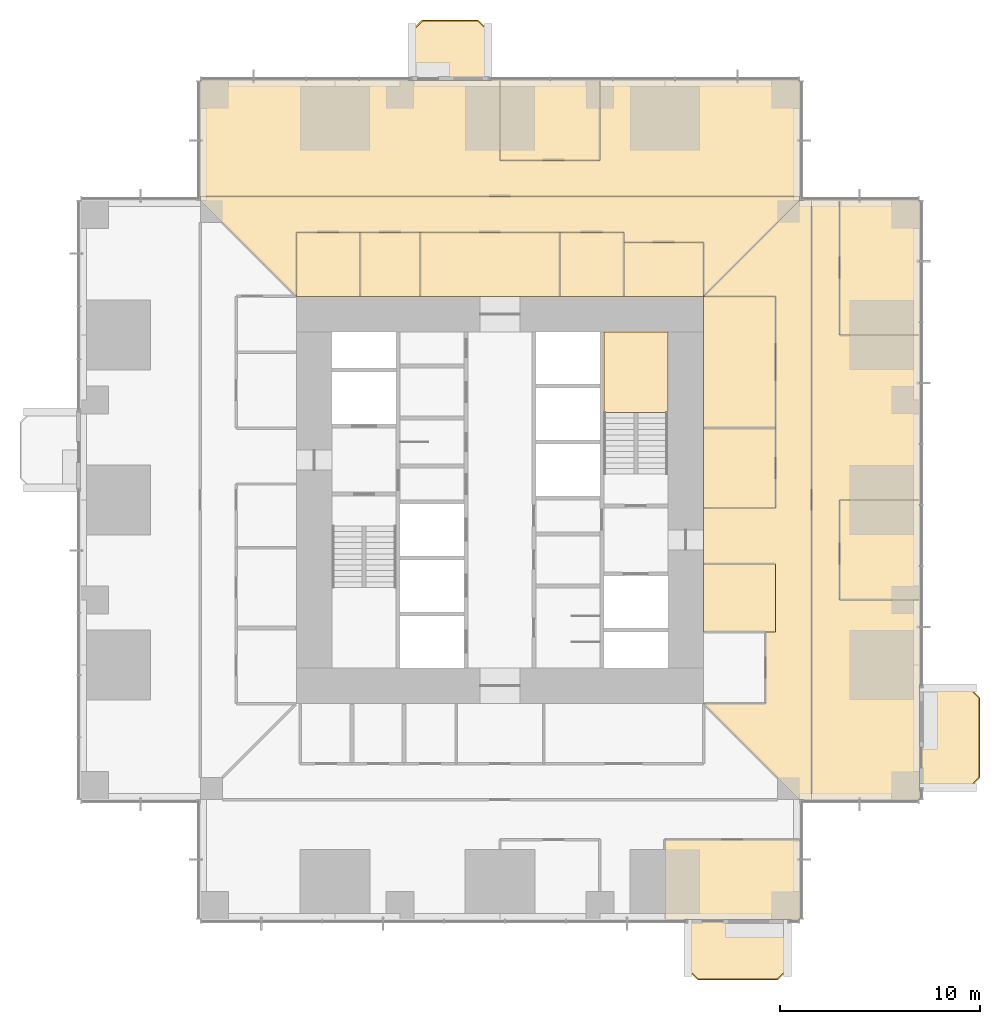
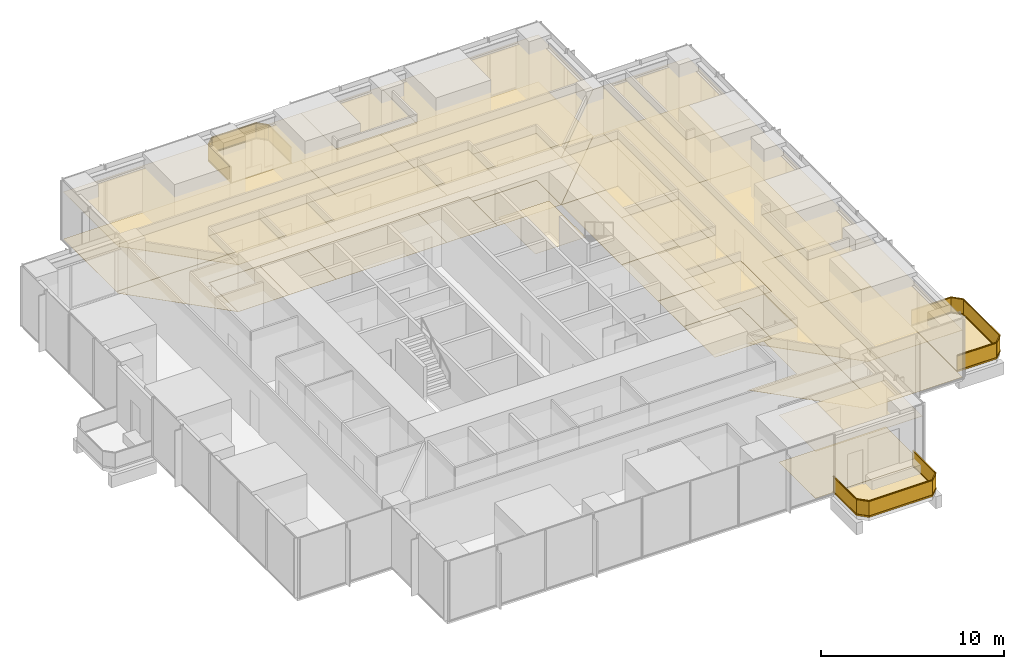
# One storey, part 14 of 15: 36 coverings, 3 railings.
"""IFC4 building model written with IfcOpenShell, lengths in metres."""

from ifc_helpers import new_model, si_unit, direction, frame, origin, origin_2d, place, context, subcontext, project, spatial, polyline, rectangle, outline, extrude, material, layer, layer_set, type_object, element, save


model = new_model("IFC4")

# Units and contexts
model_context = context("Model", 3, precision=1e-05, world=origin(), true_north=direction((0.0, 1.0)))
body_context = subcontext(model_context, "Body", "Model", "MODEL_VIEW")
ifc_project = project(units=[si_unit("LENGTHUNIT", "METRE"), si_unit("AREAUNIT", "SQUARE_METRE"), si_unit("VOLUMEUNIT", "CUBIC_METRE"), si_unit("PLANEANGLEUNIT", "RADIAN"), si_unit("MASSUNIT", "GRAM", prefix="KILO")], contexts=[model_context])

# Site, building, storey
site_placement = place(None, origin())
site = spatial("IfcSite", under=ifc_project, at=site_placement, CompositionType="ELEMENT")
building_placement = place(site_placement, origin())
building = spatial("IfcBuilding", under=site, at=building_placement, Name="Svetlomir Tower", CompositionType="ELEMENT")
storey_placement = place(building_placement, frame((0.0, 0.0, 66.5)))
storey = spatial("IfcBuildingStorey", under=building, at=storey_placement, Name="L15", CompositionType="ELEMENT", Elevation=66.5)

# Railings
ifc_material_1 = material(Name="Bronze anodised aluminium and laminated glass", Category="aluminium")
railing_type = type_object("IfcRailingType", Name="BALCONY GUARD GR1 1100", PredefinedType="GUARDRAIL", material=ifc_material_1)
railing_1_placement = place(storey_placement, frame((30.39990234375, 0.0, 0.0)))
element("IfcRailing", 1, at=railing_1_placement, inside=storey, type_object=railing_type, Name="Balcony guard S L15", PredefinedType="GUARDRAIL", context=body_context, shape_type="SweptSolid", body=[
    extrude(rectangle(XDim=0.06005859375, YDim=0.10009765625, at=origin_2d()), frame((0.0, 0.0, 0.050048828125), z_axis=(0.0, -1.0, 0.0), x_axis=(1.0, 0.0, 0.0)), (0.0, 0.0, 1.0), 2.5),
    extrude(rectangle(XDim=0.021484375, YDim=0.960205078125, at=origin_2d()), frame((0.0, 0.0, 0.580078125), z_axis=(0.0, -1.0, 0.0), x_axis=(1.0, 0.0, 0.0)), (0.0, 0.0, 1.0), 2.5),
    extrude(rectangle(XDim=0.06005859375, YDim=0.0400390625, at=origin_2d()), frame((0.0, 0.0, 1.080078125), z_axis=(0.0, -1.0, 0.0), x_axis=(1.0, 0.0, 0.0)), (0.0, 0.0, 1.0), 2.5),
    extrude(rectangle(XDim=0.06005859375, YDim=0.10009765625, at=origin_2d()), frame((0.0, -2.5, 0.050048828125), z_axis=(0.707106781187, -0.707106781187, 0.0), x_axis=(0.707106781187, 0.707106781187, 0.0)), (0.0, 0.0, 1.0), 0.70703125),
    extrude(rectangle(XDim=0.021484375, YDim=0.960205078125, at=origin_2d()), frame((0.0, -2.5, 0.580078125), z_axis=(0.707106781187, -0.707106781187, 0.0), x_axis=(0.707106781187, 0.707106781187, 0.0)), (0.0, 0.0, 1.0), 0.70703125),
    extrude(rectangle(XDim=0.06005859375, YDim=0.0400390625, at=origin_2d()), frame((0.0, -2.5, 1.080078125), z_axis=(0.707106781187, -0.707106781187, 0.0), x_axis=(0.707106781187, 0.707106781187, 0.0)), (0.0, 0.0, 1.0), 0.70703125),
    extrude(rectangle(XDim=0.06005859375, YDim=0.10009765625, at=origin_2d()), frame((0.5, -3.0, 0.050048828125), z_axis=(1.0, 0.0, 0.0), x_axis=(0.0, 1.0, 0.0)), (0.0, 0.0, 1.0), 4.0),
    extrude(rectangle(XDim=0.021484375, YDim=0.960205078125, at=origin_2d()), frame((0.5, -3.0, 0.580078125), z_axis=(1.0, 0.0, 0.0), x_axis=(0.0, 1.0, 0.0)), (0.0, 0.0, 1.0), 4.0),
    extrude(rectangle(XDim=0.06005859375, YDim=0.0400390625, at=origin_2d()), frame((0.5, -3.0, 1.080078125), z_axis=(1.0, 0.0, 0.0), x_axis=(0.0, 1.0, 0.0)), (0.0, 0.0, 1.0), 4.0),
    extrude(rectangle(XDim=0.06005859375, YDim=0.10009765625, at=origin_2d()), frame((4.5, -3.0, 0.050048828125), z_axis=(0.707106781187, 0.707106781187, 0.0), x_axis=(-0.707106781187, 0.707106781187, 0.0)), (0.0, 0.0, 1.0), 0.70703125),
    extrude(rectangle(XDim=0.021484375, YDim=0.960205078125, at=origin_2d()), frame((4.5, -3.0, 0.580078125), z_axis=(0.707106781187, 0.707106781187, 0.0), x_axis=(-0.707106781187, 0.707106781187, 0.0)), (0.0, 0.0, 1.0), 0.70703125),
    extrude(rectangle(XDim=0.06005859375, YDim=0.0400390625, at=origin_2d()), frame((4.5, -3.0, 1.080078125), z_axis=(0.707106781187, 0.707106781187, 0.0), x_axis=(-0.707106781187, 0.707106781187, 0.0)), (0.0, 0.0, 1.0), 0.70703125),
    extrude(rectangle(XDim=0.06005859375, YDim=0.10009765625, at=origin_2d()), frame((5.0, -2.5, 0.050048828125), z_axis=(0.0, 1.0, 0.0), x_axis=(-1.0, 0.0, 0.0)), (0.0, 0.0, 1.0), 2.5),
    extrude(rectangle(XDim=0.021484375, YDim=0.960205078125, at=origin_2d()), frame((5.0, -2.5, 0.580078125), z_axis=(0.0, 1.0, 0.0), x_axis=(-1.0, 0.0, 0.0)), (0.0, 0.0, 1.0), 2.5),
    extrude(rectangle(XDim=0.06005859375, YDim=0.0400390625, at=origin_2d()), frame((5.0, -2.5, 1.080078125), z_axis=(0.0, 1.0, 0.0), x_axis=(-1.0, 0.0, 0.0)), (0.0, 0.0, 1.0), 2.5),
])
railing_2_placement = place(storey_placement, frame((42.0, 6.60009765625, 0.0)))
element("IfcRailing", 2, at=railing_2_placement, inside=storey, type_object=railing_type, Name="Balcony guard E L15", PredefinedType="GUARDRAIL", context=body_context, shape_type="SweptSolid", body=[
    extrude(rectangle(XDim=0.06005859375, YDim=0.10009765625, at=origin_2d()), frame((0.0, 0.0, 0.050048828125), z_axis=(1.0, 0.0, 0.0), x_axis=(0.0, 1.0, 0.0)), (0.0, 0.0, 1.0), 2.5),
    extrude(rectangle(XDim=0.021484375, YDim=0.960205078125, at=origin_2d()), frame((0.0, 0.0, 0.580078125), z_axis=(1.0, 0.0, 0.0), x_axis=(0.0, 1.0, 0.0)), (0.0, 0.0, 1.0), 2.5),
    extrude(rectangle(XDim=0.06005859375, YDim=0.0400390625, at=origin_2d()), frame((0.0, 0.0, 1.080078125), z_axis=(1.0, 0.0, 0.0), x_axis=(0.0, 1.0, 0.0)), (0.0, 0.0, 1.0), 2.5),
    extrude(rectangle(XDim=0.06005859375, YDim=0.10009765625, at=origin_2d()), frame((2.5, 0.0, 0.050048828125), z_axis=(0.707106781187, 0.707106781187, 0.0), x_axis=(-0.707106781187, 0.707106781187, 0.0)), (0.0, 0.0, 1.0), 0.70703125),
    extrude(rectangle(XDim=0.021484375, YDim=0.960205078125, at=origin_2d()), frame((2.5, 0.0, 0.580078125), z_axis=(0.707106781187, 0.707106781187, 0.0), x_axis=(-0.707106781187, 0.707106781187, 0.0)), (0.0, 0.0, 1.0), 0.70703125),
    extrude(rectangle(XDim=0.06005859375, YDim=0.0400390625, at=origin_2d()), frame((2.5, 0.0, 1.080078125), z_axis=(0.707106781187, 0.707106781187, 0.0), x_axis=(-0.707106781187, 0.707106781187, 0.0)), (0.0, 0.0, 1.0), 0.70703125),
    extrude(rectangle(XDim=0.06005859375, YDim=0.10009765625, at=origin_2d()), frame((3.0, 0.5, 0.050048828125), z_axis=(0.0, 1.0, 0.0), x_axis=(-1.0, 0.0, 0.0)), (0.0, 0.0, 1.0), 4.0),
    extrude(rectangle(XDim=0.021484375, YDim=0.960205078125, at=origin_2d()), frame((3.0, 0.5, 0.580078125), z_axis=(0.0, 1.0, 0.0), x_axis=(-1.0, 0.0, 0.0)), (0.0, 0.0, 1.0), 4.0),
    extrude(rectangle(XDim=0.06005859375, YDim=0.0400390625, at=origin_2d()), frame((3.0, 0.5, 1.080078125), z_axis=(0.0, 1.0, 0.0), x_axis=(-1.0, 0.0, 0.0)), (0.0, 0.0, 1.0), 4.0),
    extrude(rectangle(XDim=0.06005859375, YDim=0.10009765625, at=origin_2d()), frame((3.0, 4.5, 0.050048828125), z_axis=(-0.707106781187, 0.707106781187, 0.0), x_axis=(-0.707106781187, -0.707106781187, 0.0)), (0.0, 0.0, 1.0), 0.70703125),
    extrude(rectangle(XDim=0.021484375, YDim=0.960205078125, at=origin_2d()), frame((3.0, 4.5, 0.580078125), z_axis=(-0.707106781187, 0.707106781187, 0.0), x_axis=(-0.707106781187, -0.707106781187, 0.0)), (0.0, 0.0, 1.0), 0.70703125),
    extrude(rectangle(XDim=0.06005859375, YDim=0.0400390625, at=origin_2d()), frame((3.0, 4.5, 1.080078125), z_axis=(-0.707106781187, 0.707106781187, 0.0), x_axis=(-0.707106781187, -0.707106781187, 0.0)), (0.0, 0.0, 1.0), 0.70703125),
    extrude(rectangle(XDim=0.06005859375, YDim=0.10009765625, at=origin_2d()), frame((2.5, 5.0, 0.050048828125), z_axis=(-1.0, 0.0, 0.0), x_axis=(0.0, -1.0, 0.0)), (0.0, 0.0, 1.0), 2.5),
    extrude(rectangle(XDim=0.021484375, YDim=0.960205078125, at=origin_2d()), frame((2.5, 5.0, 0.580078125), z_axis=(-1.0, 0.0, 0.0), x_axis=(0.0, -1.0, 0.0)), (0.0, 0.0, 1.0), 2.5),
    extrude(rectangle(XDim=0.06005859375, YDim=0.0400390625, at=origin_2d()), frame((2.5, 5.0, 1.080078125), z_axis=(-1.0, 0.0, 0.0), x_axis=(0.0, -1.0, 0.0)), (0.0, 0.0, 1.0), 2.5),
])
railing_3_placement = place(storey_placement, frame((20.39990234375, 42.0, 0.0)))
element("IfcRailing", 3, at=railing_3_placement, inside=storey, type_object=railing_type, Name="Balcony guard N L15", PredefinedType="GUARDRAIL", context=body_context, shape_type="SweptSolid", body=[
    extrude(rectangle(XDim=0.06005859375, YDim=0.10009765625, at=origin_2d()), frame((0.0, 0.0, 0.050048828125), z_axis=(0.0, 1.0, 0.0), x_axis=(-1.0, 0.0, 0.0)), (0.0, 0.0, 1.0), 2.5),
    extrude(rectangle(XDim=0.021484375, YDim=0.960205078125, at=origin_2d()), frame((0.0, 0.0, 0.580078125), z_axis=(0.0, 1.0, 0.0), x_axis=(-1.0, 0.0, 0.0)), (0.0, 0.0, 1.0), 2.5),
    extrude(rectangle(XDim=0.06005859375, YDim=0.0400390625, at=origin_2d()), frame((0.0, 0.0, 1.080078125), z_axis=(0.0, 1.0, 0.0), x_axis=(-1.0, 0.0, 0.0)), (0.0, 0.0, 1.0), 2.5),
    extrude(rectangle(XDim=0.06005859375, YDim=0.10009765625, at=origin_2d()), frame((0.0, 2.5, 0.050048828125), z_axis=(-0.707106781187, 0.707106781187, 0.0), x_axis=(-0.707106781187, -0.707106781187, 0.0)), (0.0, 0.0, 1.0), 0.70703125),
    extrude(rectangle(XDim=0.021484375, YDim=0.960205078125, at=origin_2d()), frame((0.0, 2.5, 0.580078125), z_axis=(-0.707106781187, 0.707106781187, 0.0), x_axis=(-0.707106781187, -0.707106781187, 0.0)), (0.0, 0.0, 1.0), 0.70703125),
    extrude(rectangle(XDim=0.06005859375, YDim=0.0400390625, at=origin_2d()), frame((0.0, 2.5, 1.080078125), z_axis=(-0.707106781187, 0.707106781187, 0.0), x_axis=(-0.707106781187, -0.707106781187, 0.0)), (0.0, 0.0, 1.0), 0.70703125),
    extrude(rectangle(XDim=0.06005859375, YDim=0.10009765625, at=origin_2d()), frame((-0.5, 3.0, 0.050048828125), z_axis=(-1.0, 0.0, 0.0), x_axis=(0.0, -1.0, 0.0)), (0.0, 0.0, 1.0), 2.7998046875),
    extrude(rectangle(XDim=0.021484375, YDim=0.960205078125, at=origin_2d()), frame((-0.5, 3.0, 0.580078125), z_axis=(-1.0, 0.0, 0.0), x_axis=(0.0, -1.0, 0.0)), (0.0, 0.0, 1.0), 2.7998046875),
    extrude(rectangle(XDim=0.06005859375, YDim=0.0400390625, at=origin_2d()), frame((-0.5, 3.0, 1.080078125), z_axis=(-1.0, 0.0, 0.0), x_axis=(0.0, -1.0, 0.0)), (0.0, 0.0, 1.0), 2.7998046875),
    extrude(rectangle(XDim=0.06005859375, YDim=0.10009765625, at=origin_2d()), frame((-3.2998046875, 3.0, 0.050048828125), z_axis=(-0.707106781187, -0.707106781187, 0.0), x_axis=(0.707106781187, -0.707106781187, 0.0)), (0.0, 0.0, 1.0), 0.70703125),
    extrude(rectangle(XDim=0.021484375, YDim=0.960205078125, at=origin_2d()), frame((-3.2998046875, 3.0, 0.580078125), z_axis=(-0.707106781187, -0.707106781187, 0.0), x_axis=(0.707106781187, -0.707106781187, 0.0)), (0.0, 0.0, 1.0), 0.70703125),
    extrude(rectangle(XDim=0.06005859375, YDim=0.0400390625, at=origin_2d()), frame((-3.2998046875, 3.0, 1.080078125), z_axis=(-0.707106781187, -0.707106781187, 0.0), x_axis=(0.707106781187, -0.707106781187, 0.0)), (0.0, 0.0, 1.0), 0.70703125),
    extrude(rectangle(XDim=0.06005859375, YDim=0.10009765625, at=origin_2d()), frame((-3.7998046875, 2.5, 0.050048828125), z_axis=(0.0, -1.0, 0.0), x_axis=(1.0, 0.0, 0.0)), (0.0, 0.0, 1.0), 2.5),
    extrude(rectangle(XDim=0.021484375, YDim=0.960205078125, at=origin_2d()), frame((-3.7998046875, 2.5, 0.580078125), z_axis=(0.0, -1.0, 0.0), x_axis=(1.0, 0.0, 0.0)), (0.0, 0.0, 1.0), 2.5),
    extrude(rectangle(XDim=0.06005859375, YDim=0.0400390625, at=origin_2d()), frame((-3.7998046875, 2.5, 1.080078125), z_axis=(0.0, -1.0, 0.0), x_axis=(1.0, 0.0, 0.0)), (0.0, 0.0, 1.0), 2.5),
])

# Coverings
ifc_material_2 = material(Name="Granite paving slabs on pedestals", Category="masonry")
ifc_layer_1 = layer(ifc_material_2, 0.0400390625)
ifc_layer_set_1 = layer_set([ifc_layer_1], Name="Granite paving slabs on pedestals")
covering_type_1 = type_object("IfcCoveringType", Name="BALCONY PAVING 40", PredefinedType="USERDEFINED", material=ifc_layer_set_1)
covering_1_placement = place(storey_placement, origin())
element("IfcCovering", 4, at=covering_1_placement, inside=storey, type_object=covering_type_1, Name="Balcony paving S L15", ObjectType="BALCONY PAVING", PredefinedType="USERDEFINED", context=body_context, shape_type="SweptSolid", body=[
    extrude(outline(polyline([(30.39990234375, -2.5), (30.89990234375, -3.0), (34.89990234375, -3.0), (35.39990234375, -2.5), (35.39990234375, 0.0), (30.39990234375, 0.0), (30.39990234375, -2.5)])), origin(), (0.0, 0.0, 1.0), 0.0400390625),
])
covering_2_placement = place(storey_placement, origin())
element("IfcCovering", 5, at=covering_2_placement, inside=storey, type_object=covering_type_1, Name="Balcony paving E L15", ObjectType="BALCONY PAVING", PredefinedType="USERDEFINED", context=body_context, shape_type="SweptSolid", body=[
    extrude(outline(polyline([(42.0, 6.60009765625), (44.5, 6.60009765625), (45.0, 7.10009765625), (45.0, 11.10009765625), (44.5, 11.60009765625), (42.0, 11.60009765625), (42.0, 6.60009765625)])), origin(), (0.0, 0.0, 1.0), 0.0400390625),
])
covering_3_placement = place(storey_placement, origin())
element("IfcCovering", 6, at=covering_3_placement, inside=storey, type_object=covering_type_1, Name="Balcony paving N L15", ObjectType="BALCONY PAVING", PredefinedType="USERDEFINED", context=body_context, shape_type="SweptSolid", body=[
    extrude(outline(polyline([(16.60009765625, 42.0), (20.39990234375, 42.0), (20.39990234375, 44.5), (19.89990234375, 45.0), (17.10009765625, 45.0), (16.60009765625, 44.5), (16.60009765625, 42.0)])), origin(), (0.0, 0.0, 1.0), 0.0400390625),
])
ifc_material_3 = material(Name="Carpet tile", Category="textile")
ifc_layer_2 = layer(ifc_material_3, 0.010009765625)
ifc_layer_set_2 = layer_set([ifc_layer_2], Name="Carpet tile")
covering_type_2 = type_object("IfcCoveringType", Name="CARPET TILE FLOOR 10", PredefinedType="FLOORING", material=ifc_layer_set_2)
covering_4_placement = place(storey_placement, origin())
element("IfcCovering", 7, at=covering_4_placement, inside=storey, type_object=covering_type_2, Name="Floor finish L15-18", PredefinedType="FLOORING", context=body_context, shape_type="SweptSolid", body=[
    extrude(outline(polyline([(29.25, 0.0), (36.0, 0.0), (36.0, 4.0), (29.25, 4.0), (29.25, 0.0)])), origin(), (0.0, 0.0, 1.0), 0.010009765625),
])
covering_5_placement = place(storey_placement, origin())
element("IfcCovering", 8, at=covering_5_placement, inside=storey, type_object=covering_type_2, Name="Floor finish L15-20", PredefinedType="FLOORING", context=body_context, shape_type="SweptSolid", body=[
    extrude(outline(polyline([(31.199951171875, 20.60009765625), (34.800048828125, 20.60009765625), (34.800048828125, 24.60009765625), (31.199951171875, 24.60009765625), (31.199951171875, 20.60009765625)])), origin(), (0.0, 0.0, 1.0), 0.010009765625),
])
covering_6_placement = place(storey_placement, origin())
element("IfcCovering", 9, at=covering_6_placement, inside=storey, type_object=covering_type_2, Name="Floor finish L15-21", PredefinedType="FLOORING", context=body_context, shape_type="SweptSolid", body=[
    extrude(outline(polyline([(31.199951171875, 24.60009765625), (34.800048828125, 24.60009765625), (34.800048828125, 31.199951171875), (31.199951171875, 31.199951171875), (31.199951171875, 24.60009765625)])), origin(), (0.0, 0.0, 1.0), 0.010009765625),
])
covering_7_placement = place(storey_placement, origin())
element("IfcCovering", 10, at=covering_7_placement, inside=storey, type_object=covering_type_2, Name="Floor finish L15-22", PredefinedType="FLOORING", context=body_context, shape_type="SweptSolid", body=[
    extrude(outline(polyline([(38.0, 16.0), (42.0, 16.0), (42.0, 21.0), (38.0, 21.0), (38.0, 16.0)])), origin(), (0.0, 0.0, 1.0), 0.010009765625),
])
covering_8_placement = place(storey_placement, origin())
element("IfcCovering", 11, at=covering_8_placement, inside=storey, type_object=covering_type_2, Name="Floor finish L15-23", PredefinedType="FLOORING", context=body_context, shape_type="SweptSolid", body=[
    extrude(outline(polyline([(38.0, 29.25), (42.0, 29.25), (42.0, 36.0), (38.0, 36.0), (38.0, 29.25)])), origin(), (0.0, 0.0, 1.0), 0.010009765625),
])
covering_9_placement = place(storey_placement, origin())
element("IfcCovering", 12, at=covering_9_placement, inside=storey, type_object=covering_type_2, Name="Floor finish L15-24", PredefinedType="FLOORING", context=body_context, shape_type="SweptSolid", body=[
    extrude(outline(polyline([(10.800048828125, 31.199951171875), (14.0, 31.199951171875), (14.0, 34.39990234375), (10.800048828125, 34.39990234375), (10.800048828125, 31.199951171875)])), origin(), (0.0, 0.0, 1.0), 0.010009765625),
])
covering_10_placement = place(storey_placement, origin())
element("IfcCovering", 13, at=covering_10_placement, inside=storey, type_object=covering_type_2, Name="Floor finish L15-25", PredefinedType="FLOORING", context=body_context, shape_type="SweptSolid", body=[
    extrude(outline(polyline([(14.0, 31.199951171875), (17.0, 31.199951171875), (17.0, 34.39990234375), (14.0, 34.39990234375), (14.0, 31.199951171875)])), origin(), (0.0, 0.0, 1.0), 0.010009765625),
])
covering_11_placement = place(storey_placement, origin())
element("IfcCovering", 14, at=covering_11_placement, inside=storey, type_object=covering_type_2, Name="Floor finish L15-26", PredefinedType="FLOORING", context=body_context, shape_type="SweptSolid", body=[
    extrude(outline(polyline([(24.0, 31.199951171875), (27.199951171875, 31.199951171875), (27.199951171875, 34.39990234375), (24.0, 34.39990234375), (24.0, 31.199951171875)])), origin(), (0.0, 0.0, 1.0), 0.010009765625),
])
covering_12_placement = place(storey_placement, origin())
element("IfcCovering", 15, at=covering_12_placement, inside=storey, type_object=covering_type_2, Name="Floor finish L15-27", PredefinedType="FLOORING", context=body_context, shape_type="SweptSolid", body=[
    extrude(outline(polyline([(27.199951171875, 31.199951171875), (31.199951171875, 31.199951171875), (31.199951171875, 33.89990234375), (27.199951171875, 33.89990234375), (27.199951171875, 31.199951171875)])), origin(), (0.0, 0.0, 1.0), 0.010009765625),
])
covering_13_placement = place(storey_placement, origin())
element("IfcCovering", 16, at=covering_13_placement, inside=storey, type_object=covering_type_2, Name="Floor finish L15-28", PredefinedType="FLOORING", context=body_context, shape_type="SweptSolid", body=[
    extrude(outline(polyline([(21.0, 38.0), (26.0, 38.0), (26.0, 42.0), (21.0, 42.0), (21.0, 38.0)])), origin(), (0.0, 0.0, 1.0), 0.010009765625),
])
covering_14_placement = place(storey_placement, origin())
element("IfcCovering", 17, at=covering_14_placement, inside=storey, type_object=covering_type_2, Name="Floor finish L15-33", PredefinedType="FLOORING", context=body_context, shape_type="SweptSolid", body=[
    extrude(outline(polyline([(31.199951171875, 20.60009765625), (34.800048828125, 20.60009765625), (34.800048828125, 31.199951171875), (31.199951171875, 31.199951171875), (36.0, 36.0), (36.60009765625, 36.0), (36.60009765625, 6.0), (36.0, 6.0), (31.199951171875, 10.800048828125), (34.300048828125, 10.800048828125), (34.300048828125, 14.39990234375), (34.800048828125, 14.39990234375), (34.800048828125, 17.800048828125), (31.199951171875, 17.800048828125), (31.199951171875, 20.60009765625)])), origin(), (0.0, 0.0, 1.0), 0.010009765625),
])
covering_15_placement = place(storey_placement, origin())
element("IfcCovering", 18, at=covering_15_placement, inside=storey, type_object=covering_type_2, Name="Floor finish L15-34", PredefinedType="FLOORING", context=body_context, shape_type="SweptSolid", body=[
    extrude(outline(polyline([(6.0, 36.199951171875), (36.0, 36.199951171875), (36.0, 36.0), (31.199951171875, 31.199951171875), (31.199951171875, 33.89990234375), (27.199951171875, 33.89990234375), (27.199951171875, 34.39990234375), (10.800048828125, 34.39990234375), (10.800048828125, 31.199951171875), (6.0, 36.0), (6.0, 36.199951171875)])), origin(), (0.0, 0.0, 1.0), 0.010009765625),
])
covering_16_placement = place(storey_placement, origin())
element("IfcCovering", 19, at=covering_16_placement, inside=storey, type_object=covering_type_2, Name="Floor finish L15-38", PredefinedType="FLOORING", context=body_context, shape_type="SweptSolid", body=[
    extrude(outline(polyline([(38.0, 29.25), (42.0, 29.25), (42.0, 21.0), (38.0, 21.0), (38.0, 16.0), (42.0, 16.0), (42.0, 6.0), (36.60009765625, 6.0), (36.60009765625, 36.0), (38.0, 36.0), (38.0, 29.25)])), origin(), (0.0, 0.0, 1.0), 0.010009765625),
])
covering_17_placement = place(storey_placement, origin())
element("IfcCovering", 20, at=covering_17_placement, inside=storey, type_object=covering_type_2, Name="Floor finish L15-39", PredefinedType="FLOORING", context=body_context, shape_type="SweptSolid", body=[
    extrude(outline(polyline([(31.199951171875, 14.39990234375), (31.199951171875, 17.800048828125), (34.800048828125, 17.800048828125), (34.800048828125, 14.39990234375), (31.199951171875, 14.39990234375)])), origin(), (0.0, 0.0, 1.0), 0.010009765625),
])
covering_18_placement = place(storey_placement, origin())
element("IfcCovering", 21, at=covering_18_placement, inside=storey, type_object=covering_type_2, Name="Floor finish L15-40", PredefinedType="FLOORING", context=body_context, shape_type="SweptSolid", body=[
    extrude(outline(polyline([(21.0, 42.0), (21.0, 38.0), (26.0, 38.0), (26.0, 42.0), (36.0, 42.0), (36.0, 36.199951171875), (6.0, 36.199951171875), (6.0, 42.0), (21.0, 42.0)])), origin(), (0.0, 0.0, 1.0), 0.010009765625),
])
covering_19_placement = place(storey_placement, origin())
element("IfcCovering", 22, at=covering_19_placement, inside=storey, type_object=covering_type_2, Name="Floor finish L15-41", PredefinedType="FLOORING", context=body_context, shape_type="SweptSolid", body=[
    extrude(outline(polyline([(17.0, 31.199951171875), (17.0, 34.39990234375), (24.0, 34.39990234375), (24.0, 31.199951171875), (17.0, 31.199951171875)])), origin(), (0.0, 0.0, 1.0), 0.010009765625),
])
ifc_material_4 = material(Name="Studded rubber floor finish", Category="rubber")
ifc_layer_3 = layer(ifc_material_4, 0.006103515625)
ifc_layer_set_3 = layer_set([ifc_layer_3], Name="Studded rubber floor finish")
covering_type_3 = type_object("IfcCoveringType", Name="RUBBER LANDING FINISH 6", PredefinedType="FLOORING", material=ifc_layer_set_3)
covering_20_placement = place(storey_placement, frame((0.0, 0.0, 2.0)))
element("IfcCovering", 23, at=covering_20_placement, inside=storey, type_object=covering_type_3, Name="Stair S2 landing finish L15", PredefinedType="FLOORING", context=body_context, shape_type="SweptSolid", body=[
    extrude(outline(polyline([(26.199951171875, 25.3798828125), (29.39990234375, 25.3798828125), (29.39990234375, 29.39990234375), (26.199951171875, 29.39990234375), (26.199951171875, 25.3798828125)])), origin(), (0.0, 0.0, 1.0), 0.006103515625),
])
ifc_material_5 = material(Name="Mineral fibre ceiling tile", Category="mineral")
ifc_layer_4 = layer(ifc_material_5, 0.02001953125)
ifc_layer_set_4 = layer_set([ifc_layer_4], Name="Mineral fibre ceiling tile")
covering_type_4 = type_object("IfcCoveringType", Name="SUSPENDED CEILING 20", PredefinedType="CEILING", material=ifc_layer_set_4)
covering_21_placement = place(storey_placement, frame((0.0, 0.0, 3.1298828125)))
element("IfcCovering", 24, at=covering_21_placement, inside=storey, type_object=covering_type_4, Name="Ceiling L15-18", PredefinedType="CEILING", context=body_context, shape_type="SweptSolid", body=[
    extrude(outline(polyline([(29.25, 0.0), (36.0, 0.0), (36.0, 4.0), (29.25, 4.0), (29.25, 0.0)])), origin(), (0.0, 0.0, 1.0), 0.02001953125),
])
covering_22_placement = place(storey_placement, frame((0.0, 0.0, 3.1298828125)))
element("IfcCovering", 25, at=covering_22_placement, inside=storey, type_object=covering_type_4, Name="Ceiling L15-20", PredefinedType="CEILING", context=body_context, shape_type="SweptSolid", body=[
    extrude(outline(polyline([(31.199951171875, 20.60009765625), (34.800048828125, 20.60009765625), (34.800048828125, 24.60009765625), (31.199951171875, 24.60009765625), (31.199951171875, 20.60009765625)])), origin(), (0.0, 0.0, 1.0), 0.02001953125),
])
covering_23_placement = place(storey_placement, frame((0.0, 0.0, 3.1298828125)))
element("IfcCovering", 26, at=covering_23_placement, inside=storey, type_object=covering_type_4, Name="Ceiling L15-21", PredefinedType="CEILING", context=body_context, shape_type="SweptSolid", body=[
    extrude(outline(polyline([(31.199951171875, 24.60009765625), (34.800048828125, 24.60009765625), (34.800048828125, 31.199951171875), (31.199951171875, 31.199951171875), (31.199951171875, 24.60009765625)])), origin(), (0.0, 0.0, 1.0), 0.02001953125),
])
covering_24_placement = place(storey_placement, frame((0.0, 0.0, 3.1298828125)))
element("IfcCovering", 27, at=covering_24_placement, inside=storey, type_object=covering_type_4, Name="Ceiling L15-22", PredefinedType="CEILING", context=body_context, shape_type="SweptSolid", body=[
    extrude(outline(polyline([(38.0, 16.0), (42.0, 16.0), (42.0, 21.0), (38.0, 21.0), (38.0, 16.0)])), origin(), (0.0, 0.0, 1.0), 0.02001953125),
])
covering_25_placement = place(storey_placement, frame((0.0, 0.0, 3.1298828125)))
element("IfcCovering", 28, at=covering_25_placement, inside=storey, type_object=covering_type_4, Name="Ceiling L15-23", PredefinedType="CEILING", context=body_context, shape_type="SweptSolid", body=[
    extrude(outline(polyline([(38.0, 29.25), (42.0, 29.25), (42.0, 36.0), (38.0, 36.0), (38.0, 29.25)])), origin(), (0.0, 0.0, 1.0), 0.02001953125),
])
covering_26_placement = place(storey_placement, frame((0.0, 0.0, 3.1298828125)))
element("IfcCovering", 29, at=covering_26_placement, inside=storey, type_object=covering_type_4, Name="Ceiling L15-24", PredefinedType="CEILING", context=body_context, shape_type="SweptSolid", body=[
    extrude(outline(polyline([(10.800048828125, 31.199951171875), (14.0, 31.199951171875), (14.0, 34.39990234375), (10.800048828125, 34.39990234375), (10.800048828125, 31.199951171875)])), origin(), (0.0, 0.0, 1.0), 0.02001953125),
])
covering_27_placement = place(storey_placement, frame((0.0, 0.0, 3.1298828125)))
element("IfcCovering", 30, at=covering_27_placement, inside=storey, type_object=covering_type_4, Name="Ceiling L15-25", PredefinedType="CEILING", context=body_context, shape_type="SweptSolid", body=[
    extrude(outline(polyline([(14.0, 31.199951171875), (17.0, 31.199951171875), (17.0, 34.39990234375), (14.0, 34.39990234375), (14.0, 31.199951171875)])), origin(), (0.0, 0.0, 1.0), 0.02001953125),
])
covering_28_placement = place(storey_placement, frame((0.0, 0.0, 3.1298828125)))
element("IfcCovering", 31, at=covering_28_placement, inside=storey, type_object=covering_type_4, Name="Ceiling L15-26", PredefinedType="CEILING", context=body_context, shape_type="SweptSolid", body=[
    extrude(outline(polyline([(24.0, 31.199951171875), (27.199951171875, 31.199951171875), (27.199951171875, 34.39990234375), (24.0, 34.39990234375), (24.0, 31.199951171875)])), origin(), (0.0, 0.0, 1.0), 0.02001953125),
])
covering_29_placement = place(storey_placement, frame((0.0, 0.0, 3.1298828125)))
element("IfcCovering", 32, at=covering_29_placement, inside=storey, type_object=covering_type_4, Name="Ceiling L15-27", PredefinedType="CEILING", context=body_context, shape_type="SweptSolid", body=[
    extrude(outline(polyline([(27.199951171875, 31.199951171875), (31.199951171875, 31.199951171875), (31.199951171875, 33.89990234375), (27.199951171875, 33.89990234375), (27.199951171875, 31.199951171875)])), origin(), (0.0, 0.0, 1.0), 0.02001953125),
])
covering_30_placement = place(storey_placement, frame((0.0, 0.0, 3.1298828125)))
element("IfcCovering", 33, at=covering_30_placement, inside=storey, type_object=covering_type_4, Name="Ceiling L15-28", PredefinedType="CEILING", context=body_context, shape_type="SweptSolid", body=[
    extrude(outline(polyline([(21.0, 38.0), (26.0, 38.0), (26.0, 42.0), (21.0, 42.0), (21.0, 38.0)])), origin(), (0.0, 0.0, 1.0), 0.02001953125),
])
covering_31_placement = place(storey_placement, frame((0.0, 0.0, 3.1298828125)))
element("IfcCovering", 34, at=covering_31_placement, inside=storey, type_object=covering_type_4, Name="Ceiling L15-33", PredefinedType="CEILING", context=body_context, shape_type="SweptSolid", body=[
    extrude(outline(polyline([(31.199951171875, 20.60009765625), (34.800048828125, 20.60009765625), (34.800048828125, 31.199951171875), (31.199951171875, 31.199951171875), (36.0, 36.0), (36.60009765625, 36.0), (36.60009765625, 6.0), (36.0, 6.0), (31.199951171875, 10.800048828125), (34.300048828125, 10.800048828125), (34.300048828125, 14.39990234375), (34.800048828125, 14.39990234375), (34.800048828125, 17.800048828125), (31.199951171875, 17.800048828125), (31.199951171875, 20.60009765625)])), origin(), (0.0, 0.0, 1.0), 0.02001953125),
])
covering_32_placement = place(storey_placement, frame((0.0, 0.0, 3.1298828125)))
element("IfcCovering", 35, at=covering_32_placement, inside=storey, type_object=covering_type_4, Name="Ceiling L15-34", PredefinedType="CEILING", context=body_context, shape_type="SweptSolid", body=[
    extrude(outline(polyline([(6.0, 36.199951171875), (36.0, 36.199951171875), (36.0, 36.0), (31.199951171875, 31.199951171875), (31.199951171875, 33.89990234375), (27.199951171875, 33.89990234375), (27.199951171875, 34.39990234375), (10.800048828125, 34.39990234375), (10.800048828125, 31.199951171875), (6.0, 36.0), (6.0, 36.199951171875)])), origin(), (0.0, 0.0, 1.0), 0.02001953125),
])
covering_33_placement = place(storey_placement, frame((0.0, 0.0, 3.1298828125)))
element("IfcCovering", 36, at=covering_33_placement, inside=storey, type_object=covering_type_4, Name="Ceiling L15-38", PredefinedType="CEILING", context=body_context, shape_type="SweptSolid", body=[
    extrude(outline(polyline([(38.0, 29.25), (42.0, 29.25), (42.0, 21.0), (38.0, 21.0), (38.0, 16.0), (42.0, 16.0), (42.0, 6.0), (36.60009765625, 6.0), (36.60009765625, 36.0), (38.0, 36.0), (38.0, 29.25)])), origin(), (0.0, 0.0, 1.0), 0.02001953125),
])
covering_34_placement = place(storey_placement, frame((0.0, 0.0, 3.1298828125)))
element("IfcCovering", 37, at=covering_34_placement, inside=storey, type_object=covering_type_4, Name="Ceiling L15-39", PredefinedType="CEILING", context=body_context, shape_type="SweptSolid", body=[
    extrude(outline(polyline([(31.199951171875, 14.39990234375), (31.199951171875, 17.800048828125), (34.800048828125, 17.800048828125), (34.800048828125, 14.39990234375), (31.199951171875, 14.39990234375)])), origin(), (0.0, 0.0, 1.0), 0.02001953125),
])
covering_35_placement = place(storey_placement, frame((0.0, 0.0, 3.1298828125)))
element("IfcCovering", 38, at=covering_35_placement, inside=storey, type_object=covering_type_4, Name="Ceiling L15-40", PredefinedType="CEILING", context=body_context, shape_type="SweptSolid", body=[
    extrude(outline(polyline([(21.0, 42.0), (21.0, 38.0), (26.0, 38.0), (26.0, 42.0), (36.0, 42.0), (36.0, 36.199951171875), (6.0, 36.199951171875), (6.0, 42.0), (21.0, 42.0)])), origin(), (0.0, 0.0, 1.0), 0.02001953125),
])
covering_36_placement = place(storey_placement, frame((0.0, 0.0, 3.1298828125)))
element("IfcCovering", 39, at=covering_36_placement, inside=storey, type_object=covering_type_4, Name="Ceiling L15-41", PredefinedType="CEILING", context=body_context, shape_type="SweptSolid", body=[
    extrude(outline(polyline([(17.0, 31.199951171875), (17.0, 34.39990234375), (24.0, 34.39990234375), (24.0, 31.199951171875), (17.0, 31.199951171875)])), origin(), (0.0, 0.0, 1.0), 0.02001953125),
])

save(model, "model.ifc")
